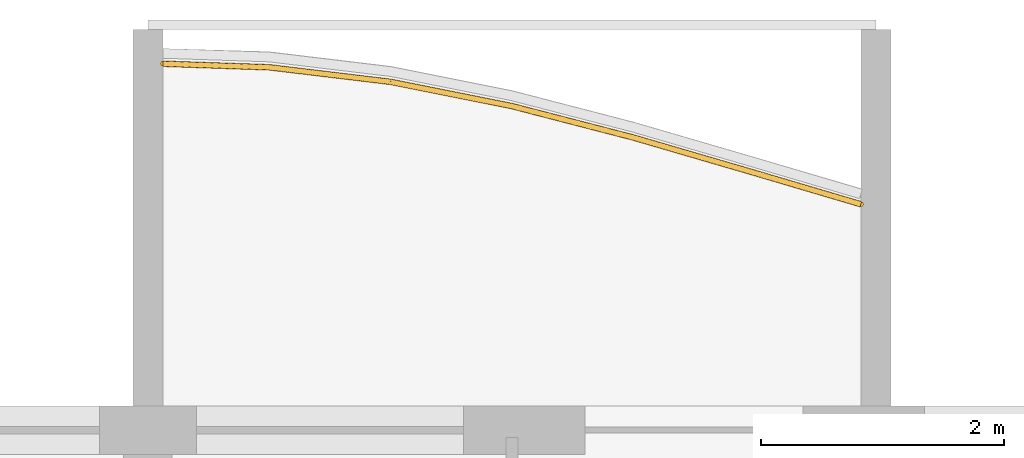
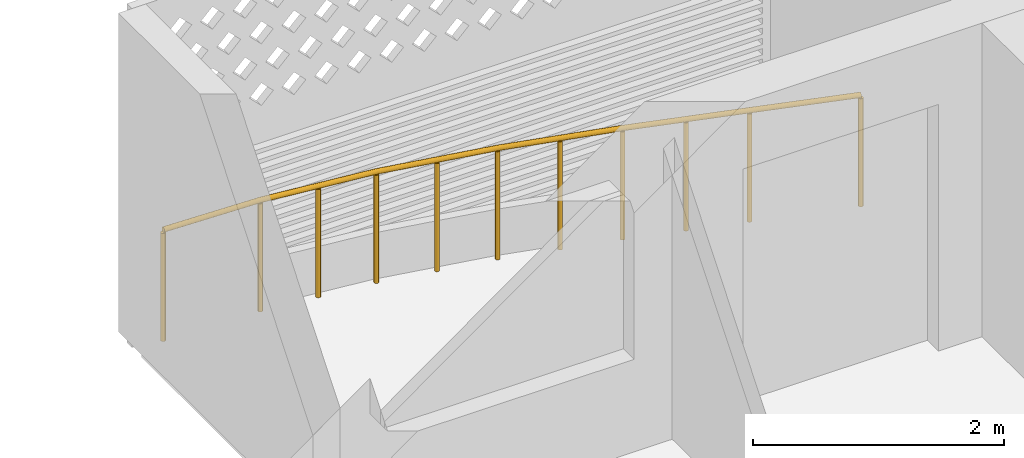
# One storey, part 28 of 40: 1 railing.
"""IFC4 building model written with IfcOpenShell, lengths in metres."""

from ifc_helpers import new_model, si_unit, direction, frame, origin, origin_2d, place, context, subcontext, project, spatial, circle, extrude, material, type_object, element, save


model = new_model("IFC4")

# Units and contexts
model_context = context("Model", 3, precision=1e-05, world=origin(), true_north=direction((0.0, 1.0)))
body_context = subcontext(model_context, "Body", "Model", "MODEL_VIEW")
ifc_project = project(units=[si_unit("LENGTHUNIT", "METRE"), si_unit("AREAUNIT", "SQUARE_METRE"), si_unit("VOLUMEUNIT", "CUBIC_METRE"), si_unit("PLANEANGLEUNIT", "RADIAN"), si_unit("MASSUNIT", "GRAM", prefix="KILO")], contexts=[model_context])

# Site, building, storey
site_placement = place(None, origin())
site = spatial("IfcSite", under=ifc_project, at=site_placement, CompositionType="ELEMENT")
building_placement = place(site_placement, origin())
building = spatial("IfcBuilding", under=site, at=building_placement, Name="Poui Terraces", CompositionType="ELEMENT")
storey_placement = place(building_placement, frame((0.0, 0.0, 36.60009765625)))
storey = spatial("IfcBuildingStorey", under=building, at=storey_placement, Name="L09", CompositionType="ELEMENT", Elevation=36.60009765625)

# Railing
ifc_material = material(Name="Painted steel fretwork", Category="steel")
railing_type = type_object("IfcRailingType", Name="BALCONY GUARD 1100", PredefinedType="GUARDRAIL", material=ifc_material)
railing_placement = place(storey_placement, frame((48.125, 47.819580078125, 0.0)))
element("IfcRailing", 1, at=railing_placement, inside=storey, type_object=railing_type, Name="BALCONY GUARD", PredefinedType="GUARDRAIL", context=body_context, shape_type="SweptSolid", body=[
    extrude(circle(Radius=0.02392578125, at=origin_2d()), frame((0.0, 0.0, 1.076171875), z_axis=(0.999430578744, -0.033741936392, 0.0), x_axis=(0.033741936392, 0.999430578744, 0.0)), (0.0, 0.0, 1.0), 0.87548828125),
    extrude(circle(Radius=0.02392578125, at=origin_2d()), frame((0.875, -0.029541015625, 1.076171875), z_axis=(0.992891742073, -0.119020958339, 0.0), x_axis=(0.119020958339, 0.992891742073, 0.0)), (0.0, 0.0, 1.0), 1.007080078125),
    extrude(circle(Radius=0.02392578125, at=origin_2d()), frame((1.875, -0.1494140625, 1.076171875), z_axis=(0.980589882373, -0.196070096109, 0.0), x_axis=(0.196070096109, 0.980589882373, 0.0)), (0.0, 0.0, 1.0), 1.019775390625),
    extrude(circle(Radius=0.02392578125, at=origin_2d()), frame((2.875, -0.349365234375, 1.076171875), z_axis=(0.968107386431, -0.250535602934, 0.0), x_axis=(0.250535602934, 0.968107386431, 0.0)), (0.0, 0.0, 1.0), 1.032958984375),
    extrude(circle(Radius=0.02392578125, at=origin_2d()), frame((3.875, -0.608154296875, 1.076171875), z_axis=(0.960041991036, -0.279855990551, 0.0), x_axis=(0.279855990551, 0.960041991036, 0.0)), (0.0, 0.0, 1.0), 1.04150390625),
    extrude(circle(Radius=0.02392578125, at=origin_2d()), frame((4.875, -0.899658203125, 1.076171875), z_axis=(0.959083787793, -0.283122390481, 0.0), x_axis=(0.283122390481, 0.959083787793, 0.0)), (0.0, 0.0, 1.0), 0.912353515625),
    extrude(circle(Radius=0.02099609375, at=origin_2d()), origin(), (0.0, 0.0, 1.0), 1.052001953125),
    extrude(circle(Radius=0.02099609375, at=origin_2d()), frame((0.875, -0.029541015625, 0.0)), (0.0, 0.0, 1.0), 1.052001953125),
    extrude(circle(Radius=0.02099609375, at=origin_2d()), frame((1.375, -0.08935546875, 0.0)), (0.0, 0.0, 1.0), 1.052001953125),
    extrude(circle(Radius=0.02099609375, at=origin_2d()), frame((1.875, -0.1494140625, 0.0)), (0.0, 0.0, 1.0), 1.052001953125),
    extrude(circle(Radius=0.02099609375, at=origin_2d()), frame((2.375, -0.24951171875, 0.0)), (0.0, 0.0, 1.0), 1.052001953125),
    extrude(circle(Radius=0.02099609375, at=origin_2d()), frame((2.875, -0.349365234375, 0.0)), (0.0, 0.0, 1.0), 1.052001953125),
    extrude(circle(Radius=0.02099609375, at=origin_2d()), frame((3.375, -0.478759765625, 0.0)), (0.0, 0.0, 1.0), 1.052001953125),
    extrude(circle(Radius=0.02099609375, at=origin_2d()), frame((3.875, -0.608154296875, 0.0)), (0.0, 0.0, 1.0), 1.052001953125),
    extrude(circle(Radius=0.02099609375, at=origin_2d()), frame((4.375, -0.75390625, 0.0)), (0.0, 0.0, 1.0), 1.052001953125),
    extrude(circle(Radius=0.02099609375, at=origin_2d()), frame((4.875, -0.899658203125, 0.0)), (0.0, 0.0, 1.0), 1.052001953125),
    extrude(circle(Radius=0.02099609375, at=origin_2d()), frame((5.75, -1.157958984375, 0.0)), (0.0, 0.0, 1.0), 1.052001953125),
])

save(model, "model.ifc")
